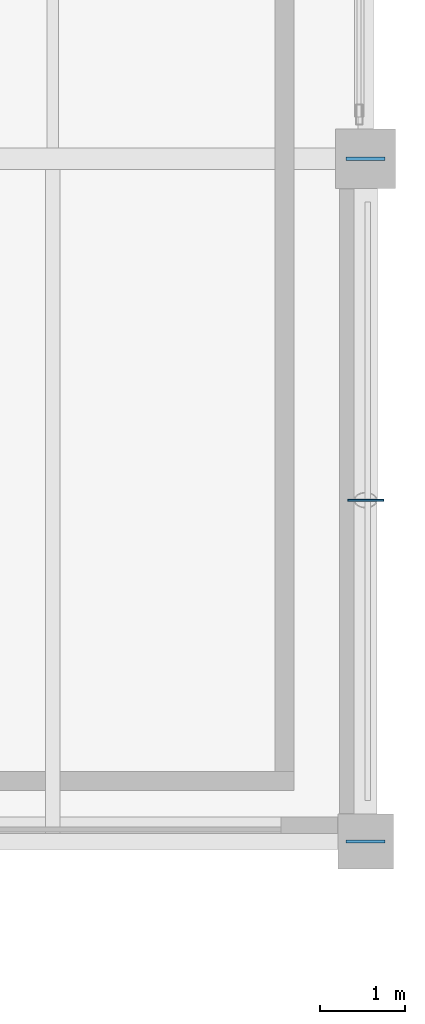
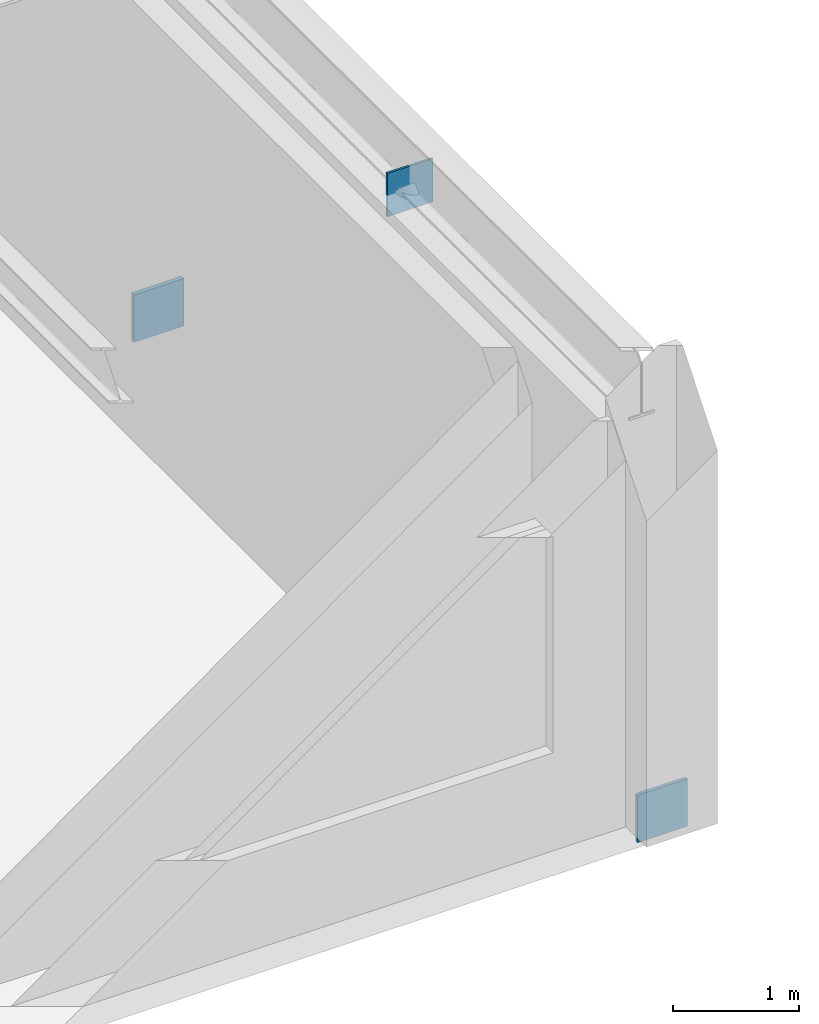
# One storey, part 149 of 168: 3 plates.
"""IFC4 building model written with IfcOpenShell, lengths in metres."""

from ifc_helpers import new_model, si_unit, direction, frame, origin, origin_2d, place, context, subcontext, project, spatial, rectangle, extrude, material, layer, layer_set, type_object, element, save


model = new_model("IFC4")

# Units and contexts
model_context = context("Model", 3, precision=1e-05, world=origin(), true_north=direction((0.0, 1.0)))
body_context = subcontext(model_context, "Body", "Model", "MODEL_VIEW")
ifc_project = project(units=[si_unit("LENGTHUNIT", "METRE"), si_unit("AREAUNIT", "SQUARE_METRE"), si_unit("VOLUMEUNIT", "CUBIC_METRE"), si_unit("PLANEANGLEUNIT", "RADIAN"), si_unit("MASSUNIT", "GRAM", prefix="KILO"), si_unit("THERMODYNAMICTEMPERATUREUNIT", "KELVIN"), si_unit("POWERUNIT", "WATT")], contexts=[model_context])

# Site, building, storey
site_placement = place(None, origin())
site = spatial("IfcSite", under=ifc_project, at=site_placement, CompositionType="ELEMENT")
building_placement = place(site_placement, origin())
building = spatial("IfcBuilding", under=site, at=building_placement, Name="Tepalcoro Natatorium and Aquatics Centre", CompositionType="ELEMENT")
storey_placement = place(building_placement, frame((0.0, 0.0, 10.199951171875)))
storey = spatial("IfcBuildingStorey", under=building, at=storey_placement, Name="L02", CompositionType="ELEMENT", Elevation=10.199951171875)

# Plates
ifc_material = material(Name="Plate Steel ASTM A572 Grade 50 (Fy 345 MPa)", Category="steel")
ifc_layer_1 = layer(ifc_material, 0.031982421875)
ifc_layer_set_1 = layer_set([ifc_layer_1], Name="Plate Steel ASTM A572 Grade 50 (Fy 345 MPa)")
plate_type_1 = type_object("IfcPlateType", Name="PL_CAP_32", PredefinedType="USERDEFINED", material=ifc_layer_set_1)
plate_1_placement = place(storey_placement, frame((176.0, 86.0, -0.179931640625), z_axis=(0.0, 0.0, 1.0), x_axis=(1.0, 0.0, 0.0)))
element("IfcPlate", 1, at=plate_1_placement, inside=storey, type_object=plate_type_1, Name="Truss Node Cap Plate BRB_11", ObjectType="CAP PLATE", PredefinedType="USERDEFINED", context=body_context, shape_type="SweptSolid", body=[
    extrude(rectangle(XDim=0.4599609375, YDim=0.031982421875, at=origin_2d()), origin(), (0.0, 0.0, 1.0), 0.4599609375),
])
ifc_layer_2 = layer(ifc_material, 0.02001953125)
ifc_layer_set_2 = layer_set([ifc_layer_2], Name="Plate Steel ASTM A572 Grade 50 (Fy 345 MPa)")
plate_type_2 = type_object("IfcPlateType", Name="PL_GUSSET_20", PredefinedType="USERDEFINED", material=ifc_layer_set_2)
plate_2_placement = place(storey_placement, frame((176.0, 90.0, 3.4501953125), z_axis=(0.0, 0.0, 1.0), x_axis=(1.0, 0.0, 0.0)))
element("IfcPlate", 2, at=plate_2_placement, inside=storey, type_object=plate_type_2, Name="V5 L02 Chevron Gusset Plate GP1", ObjectType="GUSSET PLATE", PredefinedType="USERDEFINED", context=body_context, shape_type="SweptSolid", body=[
    extrude(rectangle(XDim=0.419921875, YDim=0.02001953125, at=origin_2d()), origin(), (0.0, 0.0, 1.0), 0.419921875),
])
ifc_layer_3 = layer(ifc_material, 0.0400390625)
ifc_layer_set_3 = layer_set([ifc_layer_3], Name="Plate Steel ASTM A572 Grade 50 (Fy 345 MPa)")
plate_type_3 = type_object("IfcPlateType", Name="PL_GUSSET_40", PredefinedType="USERDEFINED", material=ifc_layer_set_3)
plate_3_placement = place(storey_placement, frame((176.0, 94.0, -0.179931640625), z_axis=(0.0, 0.0, 1.0), x_axis=(1.0, 0.0, 0.0)))
element("IfcPlate", 3, at=plate_3_placement, inside=storey, type_object=plate_type_3, Name="Truss Node Gusset Plate BRB_11", ObjectType="GUSSET PLATE", PredefinedType="USERDEFINED", context=body_context, shape_type="SweptSolid", body=[
    extrude(rectangle(XDim=0.4599609375, YDim=0.0400390625, at=origin_2d()), origin(), (0.0, 0.0, 1.0), 0.4599609375),
])

save(model, "model.ifc")
